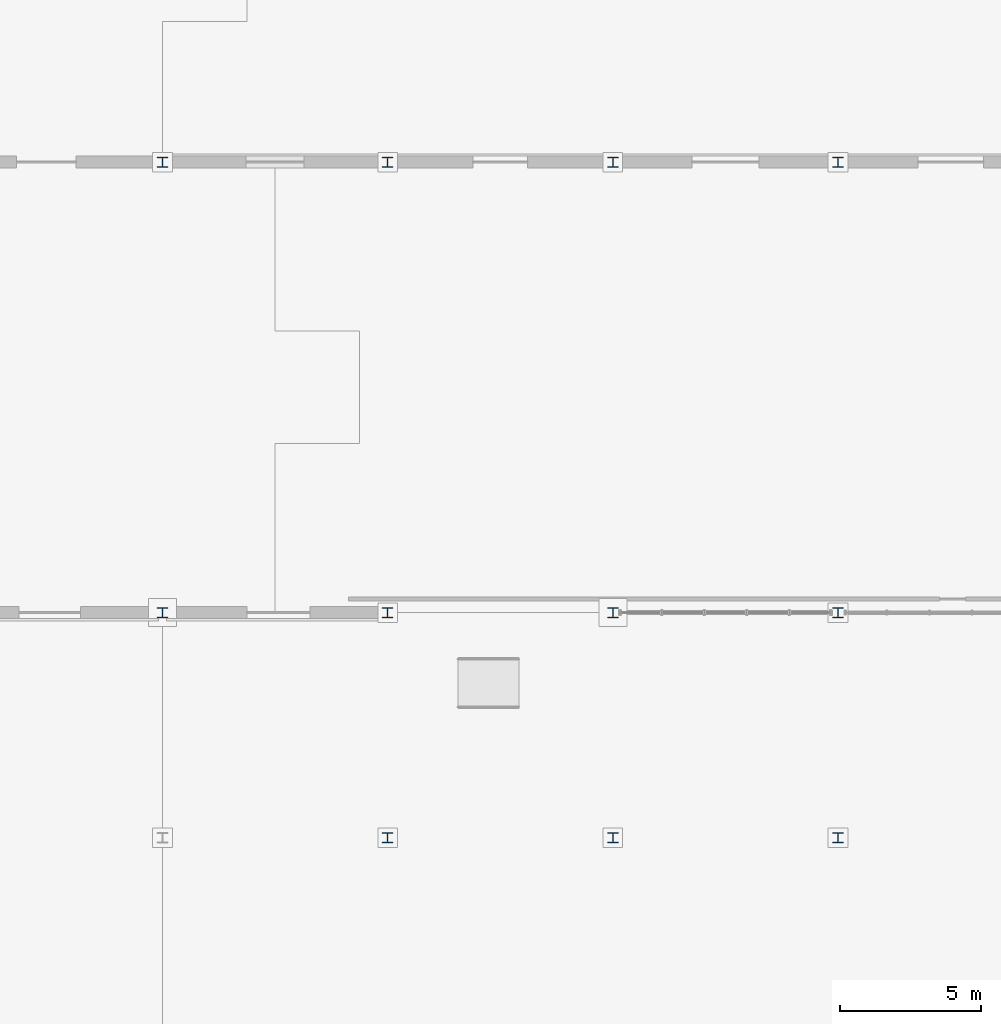
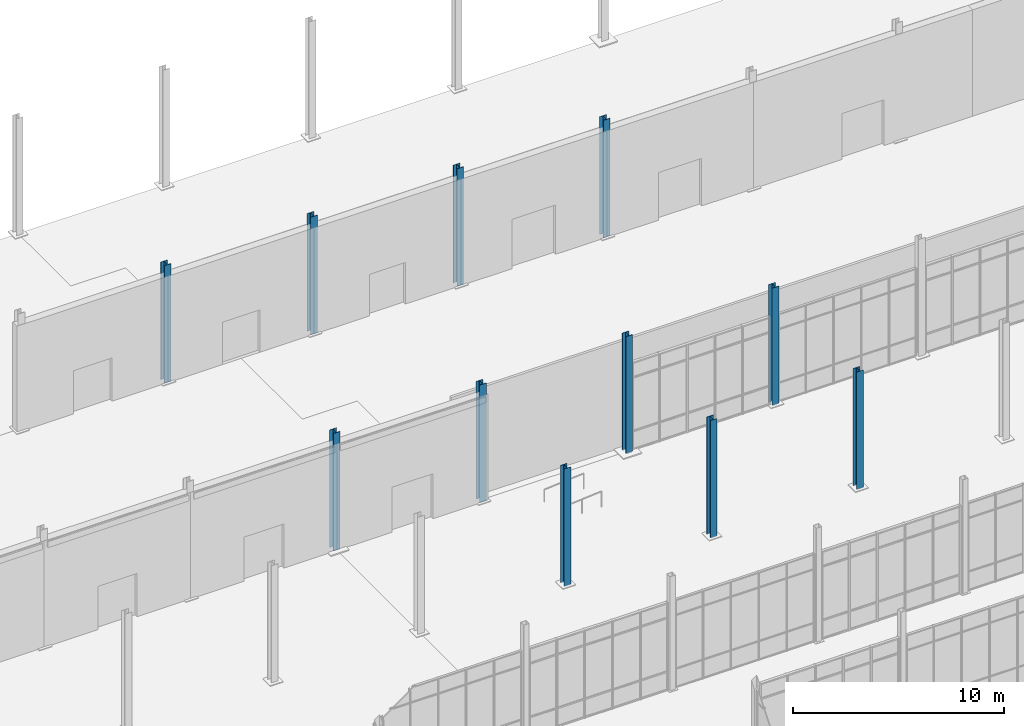
# One storey, part 14 of 140: 11 columns.
"""IFC4 building model written with IfcOpenShell, lengths in metres."""

from ifc_helpers import new_model, si_unit, direction, frame, origin, origin_2d, place, context, subcontext, project, spatial, i_section, extrude, material, material_profile, profile_set, type_object, element, save


model = new_model("IFC4")

# Units and contexts
model_context = context("Model", 3, precision=1e-05, world=origin(), true_north=direction((0.0, 1.0)))
body_context = subcontext(model_context, "Body", "Model", "MODEL_VIEW")
ifc_project = project(units=[si_unit("LENGTHUNIT", "METRE"), si_unit("AREAUNIT", "SQUARE_METRE"), si_unit("VOLUMEUNIT", "CUBIC_METRE"), si_unit("PLANEANGLEUNIT", "RADIAN"), si_unit("MASSUNIT", "GRAM", prefix="KILO")], contexts=[model_context])

# Site, building, storey
site_placement = place(None, origin())
site = spatial("IfcSite", under=ifc_project, at=site_placement, CompositionType="ELEMENT")
building_placement = place(site_placement, origin())
building = spatial("IfcBuilding", under=site, at=building_placement, Name="Verrall Gate Interchange", CompositionType="ELEMENT")
storey_placement = place(building_placement, origin())
storey = spatial("IfcBuildingStorey", under=building, at=storey_placement, Name="L01", CompositionType="ELEMENT", Elevation=0.0)

# Columns
ifc_material = material(Name="Structural Steel CSA G40.21 350W", Category="steel")
ifc_material_profile = material_profile(ifc_material, i_section(OverallWidth=0.368896484375, OverallDepth=0.35595703125, WebThickness=0.01123046875, FlangeThickness=0.01806640625, FilletRadius=0.014892578125, at=origin_2d()), Name="W360x134")
ifc_profile_set = profile_set([ifc_material_profile], Name="Structural Steel CSA G40.21 350W")
column_type = type_object("IfcColumnType", Name="C-08 Column W360x134", PredefinedType="COLUMN", material=ifc_profile_set)
for number, where, z_axis, x_axis, name in (
    (1, (108.0, 74.0, 0.0), (0.0, 0.0, 1.0), (1.0, 0.0, 0.0), "Bus Concourse Steel Column 1532"),
    (2, (108.0, 66.0, 0.0), (0.0, 0.0, 1.0), (1.0, 0.0, 0.0), "Bus Concourse Steel Column 1550"),
    (3, (116.0, 66.0, 0.0), (0.0, 0.0, 1.0), (1.0, 0.0, 0.0), "Bus Concourse Steel Column 1552"),
    (4, (124.0, 66.0, 0.0), (0.0, 0.0, 1.0), (1.0, 0.0, 0.0), "Bus Concourse Steel Column 1554"),
    (5, (124.0, 74.0, 0.0), (0.0, 0.0, 1.0), (1.0, 0.0, 0.0), "Bus Concourse Steel Column 1572"),
    (6, (100.0, 90.0, 0.0), (0.0, 0.0, 1.0), (1.0, 0.0, 0.0), "Bus Concourse Steel Column 1596"),
    (7, (108.0, 90.0, 0.0), (0.0, 0.0, 1.0), (1.0, 0.0, 0.0), "Bus Concourse Steel Column 1598"),
    (8, (116.0, 90.0, 0.0), (0.0, 0.0, 1.0), (1.0, 0.0, 0.0), "Bus Concourse Steel Column 1600"),
    (9, (124.0, 90.0, 0.0), (0.0, 0.0, 1.0), (1.0, 0.0, 0.0), "Bus Concourse Steel Column 1602"),
    (10, (100.0, 74.0, 0.0), (0.0, 0.0, 1.0), (1.0, 0.0, 0.0), "Bus Concourse Steel Column 1638"),
    (11, (116.0, 74.0, 0.0), (0.0, 0.0, 1.0), (1.0, 0.0, 0.0), "Bus Concourse Steel Column 1640"),
):
    element("IfcColumn", number, at=place(storey_placement, frame(where, z_axis=z_axis, x_axis=x_axis)), inside=storey, type_object=column_type, Name=name, PredefinedType="COLUMN", context=body_context, shape_type="SweptSolid", body=[
        extrude(i_section(OverallWidth=0.368896484375, OverallDepth=0.35595703125, WebThickness=0.01123046875, FlangeThickness=0.01806640625, FilletRadius=0.014892578125, at=origin_2d()), origin(), (0.0, 0.0, 1.0), 6.800048828125),
    ])

save(model, "model.ifc")
